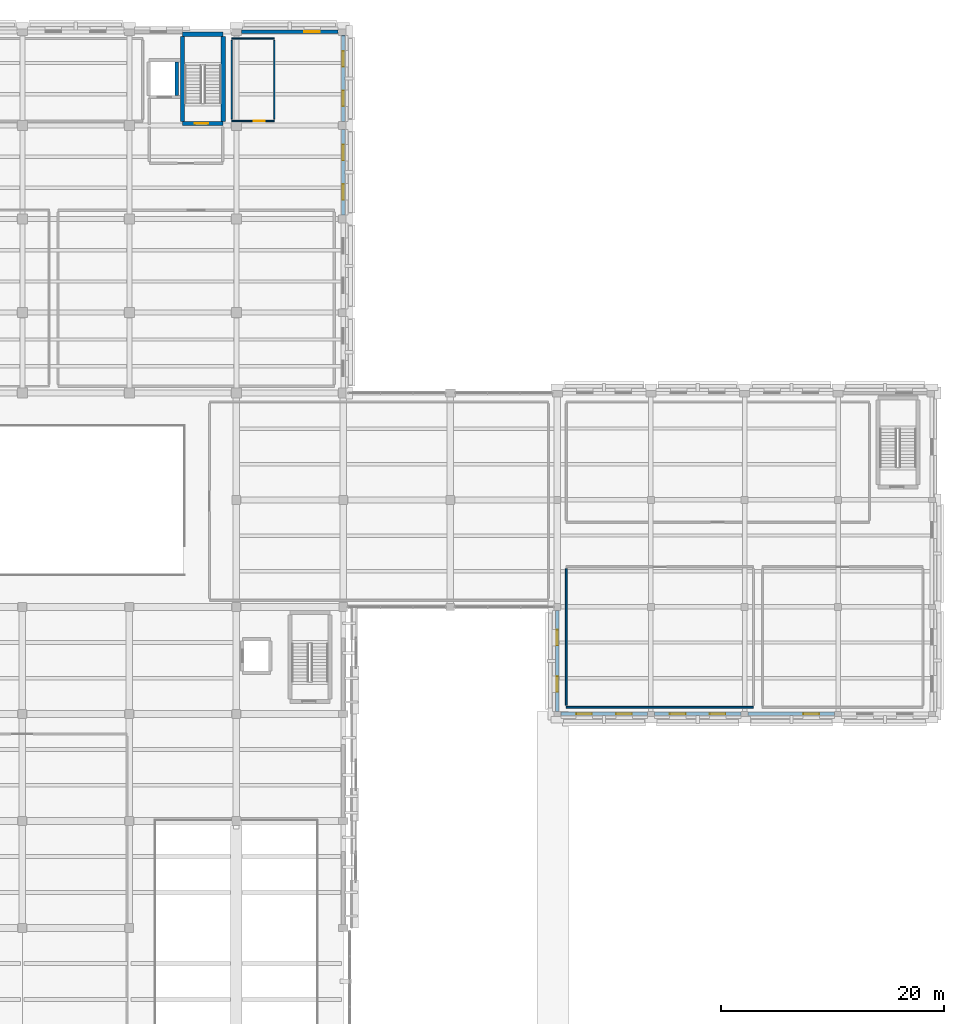
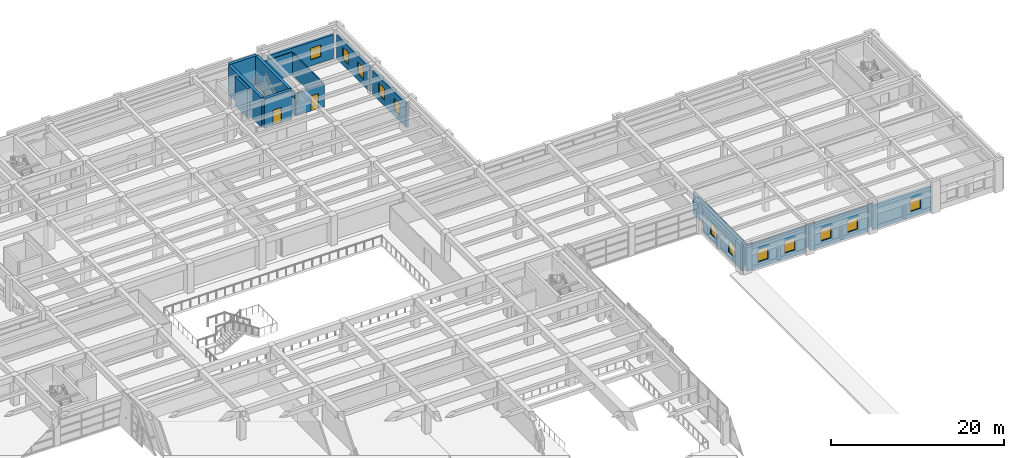
# One storey, part 35 of 49: 18 walls, 12 windows, 2 doors, 14 openings.
"""IFC4 building model written with IfcOpenShell, lengths in metres."""

from ifc_helpers import new_model, si_unit, direction, frame, frame_2d, origin, place, context, subcontext, project, spatial, rectangle, extrude, material, layer, layer_set, type_object, element, fill, save


model = new_model("IFC4")

# Units and contexts
model_context = context("Model", 3, precision=1e-05, world=origin(), true_north=direction((0.0, 1.0)))
body_context = subcontext(model_context, "Body", "Model", "MODEL_VIEW")
ifc_project = project(units=[si_unit("LENGTHUNIT", "METRE"), si_unit("AREAUNIT", "SQUARE_METRE"), si_unit("VOLUMEUNIT", "CUBIC_METRE"), si_unit("PLANEANGLEUNIT", "RADIAN"), si_unit("MASSUNIT", "GRAM", prefix="KILO")], contexts=[model_context])

# Site, building, storey
site_placement = place(None, origin())
site = spatial("IfcSite", under=ifc_project, at=site_placement, CompositionType="ELEMENT")
building_placement = place(site_placement, origin())
building = spatial("IfcBuilding", under=site, at=building_placement, Name="Bempovik Park Faculty of Sciences", CompositionType="ELEMENT")
storey_placement = place(building_placement, frame((0.0, 0.0, 5.39990234375)))
storey = spatial("IfcBuildingStorey", under=building, at=storey_placement, Name="L01", CompositionType="ELEMENT", Elevation=5.39990234375)

# Wall, opening, door
ifc_material_1 = material(Name="Gypsum acoustic stud assembly")
ifc_layer_1 = layer(ifc_material_1, 0.1201171875)
ifc_layer_set_1 = layer_set([ifc_layer_1], Name="Gypsum acoustic stud assembly")
wall_type_1 = type_object("IfcWallType", Name="W-17 Wall 120mm", PredefinedType="PARTITIONING", material=ifc_layer_set_1)
wall_1_placement = place(storey_placement, frame((107.60009765625, 111.39990234375, 0.0), z_axis=(0.0, 0.0, 1.0), x_axis=(1.0, 0.0, 0.0)))
wall_1 = element("IfcWall", 1, at=wall_1_placement, inside=storey, type_object=wall_type_1, Name="L01 L01 Accessible WC Partition South", PredefinedType="PARTITIONING", context=body_context, shape_type="SweptSolid", body=[
    extrude(rectangle(XDim=3.7998046875, YDim=0.1201171875, at=frame_2d((1.89990234375, 0.0))), origin(), (0.0, 0.0, 1.0), 3.22021484375),
])
opening_1_placement = place(wall_1_placement, frame((1.969970703125, 0.0, 0.0)))
opening_1 = element("IfcOpeningElement", 2, at=opening_1_placement, cuts=wall_1, Name="Opening D-50", PredefinedType="OPENING", context=body_context, shape_type="SweptSolid", body=[
    extrude(rectangle(XDim=1.0, YDim=2.14990234375, at=frame_2d((0.5, 1.074951171875))), frame((0.0, 0.070068359375, 0.0), z_axis=(0.0, -1.0, 0.0), x_axis=(1.0, 0.0, 0.0)), (0.0, 0.0, 1.0), 0.14013671875),
])
ifc_material_2 = material(Name="West African hardwood finish", Category="wood")
door_type_1 = type_object("IfcDoorType", Name="D-50 Door 1000x2150", OperationType="NOTDEFINED", PredefinedType="DOOR", material=ifc_material_2)
door_1_placement = place(opening_1_placement, origin())
door_1 = element("IfcDoor", 3, at=door_1_placement, inside=storey, type_object=door_type_1, Name="L01 L01 Accessible WC Door", OperationType="SINGLE_SWING_RIGHT", OverallHeight=2.14990234375, OverallWidth=1.0, PredefinedType="DOOR", context=body_context, shape_type="SweptSolid", body=[
    extrude(rectangle(XDim=1.0, YDim=2.14990234375, at=frame_2d((0.5, 1.074951171875))), frame((0.0, 0.02490234375, 0.0), z_axis=(0.0, -1.0, 0.0), x_axis=(1.0, 0.0, 0.0)), (0.0, 0.0, 1.0), 0.050048828125),
])
fill(opening_1, door_1)

# Walls
wall_2_placement = place(storey_placement, frame((107.60009765625, 118.800048828125, 0.0), z_axis=(0.0, 0.0, 1.0), x_axis=(1.0, 0.0, 0.0)))
element("IfcWall", 4, at=wall_2_placement, inside=storey, type_object=wall_type_1, Name="L01 L01 Accessible WC Partition North", PredefinedType="PARTITIONING", context=body_context, shape_type="SweptSolid", body=[
    extrude(rectangle(XDim=3.7998046875, YDim=0.1201171875, at=frame_2d((1.89990234375, 0.0))), origin(), (0.0, 0.0, 1.0), 3.22021484375),
])
for number, where, z_axis, x_axis, name in (
    (5, (107.60009765625, 111.56005859375, 0.0), (0.0, 0.0, 1.0), (0.0, 1.0, 0.0), "L01 L01 Accessible WC Partition West"),
    (6, (111.39990234375, 111.56005859375, 0.0), (0.0, 0.0, 1.0), (0.0, 1.0, 0.0), "L01 L01 Accessible WC Partition East"),
):
    element("IfcWall", number, at=place(storey_placement, frame(where, z_axis=z_axis, x_axis=x_axis)), inside=storey, type_object=wall_type_1, Name=name, PredefinedType="PARTITIONING", context=body_context, shape_type="SweptSolid", body=[
        extrude(rectangle(XDim=7.079833984375, YDim=0.1201171875, at=frame_2d((3.5400390625, 0.0))), origin(), (0.0, 0.0, 1.0), 3.22021484375),
    ])
ifc_material_3 = material(Name="Concrete C40/50", Category="concrete")
ifc_layer_2 = layer(ifc_material_3, 0.300048828125)
ifc_layer_set_2 = layer_set([ifc_layer_2], Name="Concrete C40/50")
wall_type_2 = type_object("IfcWallType", Name="W-31 Wall 300mm", PredefinedType="SHEAR", material=ifc_layer_set_2)
wall_3_placement = place(storey_placement, frame((102.64990234375, 113.699951171875, 0.0), z_axis=(0.0, 0.0, 1.0), x_axis=(0.0, 1.0, 0.0)))
element("IfcWall", 7, at=wall_3_placement, inside=storey, type_object=wall_type_2, Name="Lift LF-2 L01 Shaft Wall East", PredefinedType="SHEAR", context=body_context, shape_type="SweptSolid", body=[
    extrude(rectangle(XDim=3.0, YDim=0.300048828125, at=frame_2d((1.5, 0.0))), origin(), (0.0, 0.0, 1.0), 4.18017578125),
])
ifc_layer_3 = layer(ifc_material_1, 0.14990234375)
ifc_layer_set_3 = layer_set([ifc_layer_3], Name="Gypsum acoustic stud assembly")
wall_type_3 = type_object("IfcWallType", Name="W-42 Wall 150mm", PredefinedType="PARTITIONING", material=ifc_layer_set_3)
wall_4_placement = place(storey_placement, frame((137.60009765625, 58.800048828125, 0.0), z_axis=(0.0, 0.0, 1.0), x_axis=(1.0, 0.0, 0.0)))
element("IfcWall", 8, at=wall_4_placement, inside=storey, type_object=wall_type_3, Name="L01 East Wing Seminar Room A Partition South", PredefinedType="PARTITIONING", context=body_context, shape_type="SweptSolid", body=[
    extrude(rectangle(XDim=16.7998046875, YDim=0.14990234375, at=frame_2d((8.39990234375, 0.0))), origin(), (0.0, 0.0, 1.0), 3.22021484375),
])
wall_5_placement = place(storey_placement, frame((137.60009765625, 58.9599609375, 0.0), z_axis=(0.0, 0.0, 1.0), x_axis=(0.0, 1.0, 0.0)))
element("IfcWall", 9, at=wall_5_placement, inside=storey, type_object=wall_type_3, Name="L01 East Wing Seminar Room A Partition West", PredefinedType="PARTITIONING", context=body_context, shape_type="SweptSolid", body=[
    extrude(rectangle(XDim=12.280029296875, YDim=0.14990234375, at=frame_2d((6.14013671875, 0.0))), origin(), (0.0, 0.0, 1.0), 3.22021484375),
])

# Wall, opening, door
ifc_layer_4 = layer(ifc_material_3, 0.39990234375)
ifc_layer_set_4 = layer_set([ifc_layer_4], Name="Concrete C40/50")
wall_type_4 = type_object("IfcWallType", Name="W-47 Wall 400mm", PredefinedType="SHEAR", material=ifc_layer_set_4)
wall_6_placement = place(storey_placement, frame((103.175048828125, 111.175048828125, 0.0), z_axis=(0.0, 0.0, 1.0), x_axis=(1.0, 0.0, 0.0)))
wall_6 = element("IfcWall", 10, at=wall_6_placement, inside=storey, type_object=wall_type_4, Name="ST-2 L01 Core Shear Wall South", PredefinedType="SHEAR", context=body_context, shape_type="SweptSolid", body=[
    extrude(rectangle(XDim=3.64990234375, YDim=0.39990234375, at=frame_2d((1.824951171875, 0.0))), origin(), (0.0, 0.0, 1.0), 4.18017578125),
])
opening_2_placement = place(wall_6_placement, frame((1.10009765625, 0.0, 0.0)))
opening_2 = element("IfcOpeningElement", 11, at=opening_2_placement, cuts=wall_6, Name="Opening D-49", PredefinedType="OPENING", context=body_context, shape_type="SweptSolid", body=[
    extrude(rectangle(XDim=1.199951171875, YDim=2.199951171875, at=frame_2d((0.60009765625, 1.10009765625))), frame((0.0, 0.2099609375, 0.0), z_axis=(0.0, -1.0, 0.0), x_axis=(1.0, 0.0, 0.0)), (0.0, 0.0, 1.0), 0.419921875),
])
ifc_material_4 = material(Name="Painted steel S355", Category="steel")
door_type_2 = type_object("IfcDoorType", Name="D-49 Door 1200x2200", OperationType="NOTDEFINED", PredefinedType="DOOR", material=ifc_material_4)
door_2_placement = place(opening_2_placement, origin())
door_2 = element("IfcDoor", 12, at=door_2_placement, inside=storey, type_object=door_type_2, Name="ST-2 L01 Protected Stair Smoke Door", OperationType="SINGLE_SWING_LEFT", OverallHeight=2.199951171875, OverallWidth=1.199951171875, PredefinedType="DOOR", context=body_context, shape_type="SweptSolid", body=[
    extrude(rectangle(XDim=1.199951171875, YDim=2.199951171875, at=frame_2d((0.60009765625, 1.10009765625))), frame((0.0, 0.02490234375, 0.0), z_axis=(0.0, -1.0, 0.0), x_axis=(1.0, 0.0, 0.0)), (0.0, 0.0, 1.0), 0.050048828125),
])
fill(opening_2, door_2)

# Walls
for number, where, z_axis, x_axis, name in (
    (13, (103.175048828125, 111.375, 0.0), (0.0, 0.0, 1.0), (0.0, 1.0, 0.0), "ST-2 L01 Core Shear Wall West"),
    (14, (106.824951171875, 111.375, 0.0), (0.0, 0.0, 1.0), (0.0, 1.0, 0.0), "ST-2 L01 Core Shear Wall East"),
):
    element("IfcWall", number, at=place(storey_placement, frame(where, z_axis=z_axis, x_axis=x_axis)), inside=storey, type_object=wall_type_4, Name=name, PredefinedType="SHEAR", context=body_context, shape_type="SweptSolid", body=[
        extrude(rectangle(XDim=7.625, YDim=0.39990234375, at=frame_2d((3.8125, 0.0))), origin(), (0.0, 0.0, 1.0), 4.18017578125),
    ])
wall_7_placement = place(storey_placement, frame((103.175048828125, 119.199951171875, 0.0), z_axis=(0.0, 0.0, 1.0), x_axis=(1.0, 0.0, 0.0)))
element("IfcWall", 15, at=wall_7_placement, inside=storey, type_object=wall_type_4, Name="ST-2 L01 Core Shear Wall North", PredefinedType="SHEAR", context=body_context, shape_type="SweptSolid", body=[
    extrude(rectangle(XDim=3.64990234375, YDim=0.39990234375, at=frame_2d((1.824951171875, 0.0))), origin(), (0.0, 0.0, 1.0), 4.18017578125),
])

# Wall, opening, window
ifc_material_5 = material(Name="Precast concrete C40/50", Category="concrete")
ifc_layer_5 = layer(ifc_material_5, 0.320068359375)
ifc_layer_set_5 = layer_set([ifc_layer_5], Name="Precast concrete C40/50")
wall_type_5 = type_object("IfcWallType", Name="W-56 Wall 320mm", PredefinedType="SOLIDWALL", material=ifc_layer_set_5)
wall_8_placement = place(storey_placement, frame((108.451904296875, 119.39990234375, 0.0), z_axis=(0.0, 0.0, 1.0), x_axis=(1.0, 0.0, 0.0)))
wall_8 = element("IfcWall", 16, at=wall_8_placement, inside=storey, type_object=wall_type_5, Name="L01 Classical Precast Facade Wall EW-L01-6715", PredefinedType="SOLIDWALL", context=body_context, shape_type="SweptSolid", body=[
    extrude(rectangle(XDim=8.696044921875, YDim=0.320068359375, at=frame_2d((4.34814453125, 0.0))), origin(), (0.0, 0.0, 1.0), 3.380126953125),
])
opening_3_placement = place(wall_8_placement, frame((5.648193359375, 0.0, 0.85009765625)))
opening_3 = element("IfcOpeningElement", 17, at=opening_3_placement, cuts=wall_8, Name="Opening WN-84", PredefinedType="OPENING", context=body_context, shape_type="SweptSolid", body=[
    extrude(rectangle(XDim=1.39990234375, YDim=1.64990234375, at=frame_2d((0.699951171875, 0.824951171875))), frame((0.0, 0.169921875, 0.0), z_axis=(0.0, -1.0, 0.0), x_axis=(1.0, 0.0, 0.0)), (0.0, 0.0, 1.0), 0.340087890625),
])
ifc_material_6 = material(Name="Tempered laminated low-E glass", Category="glass")
window_type = type_object("IfcWindowType", Name="WN-84 Window 1400x1650", PartitioningType="SINGLE_PANEL", PredefinedType="WINDOW", material=ifc_material_6)
window_1_placement = place(opening_3_placement, origin())
window_1 = element("IfcWindow", 18, at=window_1_placement, inside=storey, type_object=window_type, Name="L01 Window EW-L01-6715-2", OverallHeight=1.64990234375, OverallWidth=1.39990234375, PartitioningType="SINGLE_PANEL", PredefinedType="WINDOW", context=body_context, shape_type="SweptSolid", body=[
    extrude(rectangle(XDim=1.39990234375, YDim=1.64990234375, at=frame_2d((0.699951171875, 0.824951171875))), frame((0.0, 0.030029296875, 0.0), z_axis=(0.0, -1.0, 0.0), x_axis=(1.0, 0.0, 0.0)), (0.0, 0.0, 1.0), 0.06005859375),
])
fill(opening_3, window_1)

# Wall, openings, windows
wall_9_placement = place(storey_placement, frame((117.60009765625, 102.951904296875, 0.0), z_axis=(0.0, 0.0, 1.0), x_axis=(0.0, 1.0, 0.0)))
wall_9 = element("IfcWall", 19, at=wall_9_placement, inside=storey, type_object=wall_type_5, Name="L01 Classical Precast Facade Wall EW-L01-6750", PredefinedType="SOLIDWALL", context=body_context, shape_type="SweptSolid", body=[
    extrude(rectangle(XDim=7.696044921875, YDim=0.320068359375, at=frame_2d((3.84814453125, 0.0))), origin(), (0.0, 0.0, 1.0), 3.380126953125),
])
opening_4_placement = place(wall_9_placement, frame((1.3779296875, 0.0, 0.85009765625)))
opening_4 = element("IfcOpeningElement", 20, at=opening_4_placement, cuts=wall_9, Name="Opening WN-84", PredefinedType="OPENING", context=body_context, shape_type="SweptSolid", body=[
    extrude(rectangle(XDim=1.39990234375, YDim=1.64990234375, at=frame_2d((0.699951171875, 0.824951171875))), frame((0.0, 0.169921875, 0.0), z_axis=(0.0, -1.0, 0.0), x_axis=(1.0, 0.0, 0.0)), (0.0, 0.0, 1.0), 0.340087890625),
])
opening_5_placement = place(wall_9_placement, frame((4.918212890625, 0.0, 0.85009765625)))
opening_5 = element("IfcOpeningElement", 21, at=opening_5_placement, cuts=wall_9, Name="Opening WN-84", PredefinedType="OPENING", context=body_context, shape_type="SweptSolid", body=[
    extrude(rectangle(XDim=1.39990234375, YDim=1.64990234375, at=frame_2d((0.699951171875, 0.824951171875))), frame((0.0, 0.169921875, 0.0), z_axis=(0.0, -1.0, 0.0), x_axis=(1.0, 0.0, 0.0)), (0.0, 0.0, 1.0), 0.340087890625),
])
window_2_placement = place(opening_4_placement, origin())
window_2 = element("IfcWindow", 22, at=window_2_placement, inside=storey, type_object=window_type, Name="L01 Window EW-L01-6750-1", OverallHeight=1.64990234375, OverallWidth=1.39990234375, PartitioningType="SINGLE_PANEL", PredefinedType="WINDOW", context=body_context, shape_type="SweptSolid", body=[
    extrude(rectangle(XDim=1.39990234375, YDim=1.64990234375, at=frame_2d((0.699951171875, 0.824951171875))), frame((0.0, 0.030029296875, 0.0), z_axis=(0.0, -1.0, 0.0), x_axis=(1.0, 0.0, 0.0)), (0.0, 0.0, 1.0), 0.06005859375),
])
fill(opening_4, window_2)
window_3_placement = place(opening_5_placement, origin())
window_3 = element("IfcWindow", 23, at=window_3_placement, inside=storey, type_object=window_type, Name="L01 Window EW-L01-6750-2", OverallHeight=1.64990234375, OverallWidth=1.39990234375, PartitioningType="SINGLE_PANEL", PredefinedType="WINDOW", context=body_context, shape_type="SweptSolid", body=[
    extrude(rectangle(XDim=1.39990234375, YDim=1.64990234375, at=frame_2d((0.699951171875, 0.824951171875))), frame((0.0, 0.030029296875, 0.0), z_axis=(0.0, -1.0, 0.0), x_axis=(1.0, 0.0, 0.0)), (0.0, 0.0, 1.0), 0.06005859375),
])
fill(opening_5, window_3)

wall_10_placement = place(storey_placement, frame((117.60009765625, 111.35205078125, 0.0), z_axis=(0.0, 0.0, 1.0), x_axis=(0.0, 1.0, 0.0)))
wall_10 = element("IfcWall", 24, at=wall_10_placement, inside=storey, type_object=wall_type_5, Name="L01 Classical Precast Facade Wall EW-L01-6762", PredefinedType="SOLIDWALL", context=body_context, shape_type="SweptSolid", body=[
    extrude(rectangle(XDim=7.696044921875, YDim=0.320068359375, at=frame_2d((3.84814453125, 0.0))), origin(), (0.0, 0.0, 1.0), 3.380126953125),
])
opening_6_placement = place(wall_10_placement, frame((1.3779296875, 0.0, 0.85009765625)))
opening_6 = element("IfcOpeningElement", 25, at=opening_6_placement, cuts=wall_10, Name="Opening WN-84", PredefinedType="OPENING", context=body_context, shape_type="SweptSolid", body=[
    extrude(rectangle(XDim=1.39990234375, YDim=1.64990234375, at=frame_2d((0.699951171875, 0.824951171875))), frame((0.0, 0.169921875, 0.0), z_axis=(0.0, -1.0, 0.0), x_axis=(1.0, 0.0, 0.0)), (0.0, 0.0, 1.0), 0.340087890625),
])
opening_7_placement = place(wall_10_placement, frame((4.918212890625, 0.0, 0.85009765625)))
opening_7 = element("IfcOpeningElement", 26, at=opening_7_placement, cuts=wall_10, Name="Opening WN-84", PredefinedType="OPENING", context=body_context, shape_type="SweptSolid", body=[
    extrude(rectangle(XDim=1.39990234375, YDim=1.64990234375, at=frame_2d((0.699951171875, 0.824951171875))), frame((0.0, 0.169921875, 0.0), z_axis=(0.0, -1.0, 0.0), x_axis=(1.0, 0.0, 0.0)), (0.0, 0.0, 1.0), 0.340087890625),
])
window_4_placement = place(opening_6_placement, origin())
window_4 = element("IfcWindow", 27, at=window_4_placement, inside=storey, type_object=window_type, Name="L01 Window EW-L01-6762-1", OverallHeight=1.64990234375, OverallWidth=1.39990234375, PartitioningType="SINGLE_PANEL", PredefinedType="WINDOW", context=body_context, shape_type="SweptSolid", body=[
    extrude(rectangle(XDim=1.39990234375, YDim=1.64990234375, at=frame_2d((0.699951171875, 0.824951171875))), frame((0.0, 0.030029296875, 0.0), z_axis=(0.0, -1.0, 0.0), x_axis=(1.0, 0.0, 0.0)), (0.0, 0.0, 1.0), 0.06005859375),
])
fill(opening_6, window_4)
window_5_placement = place(opening_7_placement, origin())
window_5 = element("IfcWindow", 28, at=window_5_placement, inside=storey, type_object=window_type, Name="L01 Window EW-L01-6762-2", OverallHeight=1.64990234375, OverallWidth=1.39990234375, PartitioningType="SINGLE_PANEL", PredefinedType="WINDOW", context=body_context, shape_type="SweptSolid", body=[
    extrude(rectangle(XDim=1.39990234375, YDim=1.64990234375, at=frame_2d((0.699951171875, 0.824951171875))), frame((0.0, 0.030029296875, 0.0), z_axis=(0.0, -1.0, 0.0), x_axis=(1.0, 0.0, 0.0)), (0.0, 0.0, 1.0), 0.06005859375),
])
fill(opening_7, window_5)

wall_11_placement = place(storey_placement, frame((137.112060546875, 58.199951171875, 0.0), z_axis=(0.0, 0.0, 1.0), x_axis=(1.0, 0.0, 0.0)))
wall_11 = element("IfcWall", 29, at=wall_11_placement, inside=storey, type_object=wall_type_5, Name="L01 Classical Precast Facade Wall EW-L01-6886", PredefinedType="SOLIDWALL", context=body_context, shape_type="SweptSolid", body=[
    extrude(rectangle(XDim=7.77587890625, YDim=0.320068359375, at=frame_2d((3.887939453125, 0.0))), origin(), (0.0, 0.0, 1.0), 3.380126953125),
])
opening_8_placement = place(wall_11_placement, frame((1.3994140625, 0.0, 0.85009765625)))
opening_8 = element("IfcOpeningElement", 30, at=opening_8_placement, cuts=wall_11, Name="Opening WN-84", PredefinedType="OPENING", context=body_context, shape_type="SweptSolid", body=[
    extrude(rectangle(XDim=1.39990234375, YDim=1.64990234375, at=frame_2d((0.699951171875, 0.824951171875))), frame((0.0, 0.169921875, 0.0), z_axis=(0.0, -1.0, 0.0), x_axis=(1.0, 0.0, 0.0)), (0.0, 0.0, 1.0), 0.340087890625),
])
opening_9_placement = place(wall_11_placement, frame((4.9765625, 0.0, 0.85009765625)))
opening_9 = element("IfcOpeningElement", 31, at=opening_9_placement, cuts=wall_11, Name="Opening WN-84", PredefinedType="OPENING", context=body_context, shape_type="SweptSolid", body=[
    extrude(rectangle(XDim=1.39990234375, YDim=1.64990234375, at=frame_2d((0.699951171875, 0.824951171875))), frame((0.0, 0.169921875, 0.0), z_axis=(0.0, -1.0, 0.0), x_axis=(1.0, 0.0, 0.0)), (0.0, 0.0, 1.0), 0.340087890625),
])
window_6_placement = place(opening_8_placement, origin())
window_6 = element("IfcWindow", 32, at=window_6_placement, inside=storey, type_object=window_type, Name="L01 Window EW-L01-6886-1", OverallHeight=1.64990234375, OverallWidth=1.39990234375, PartitioningType="SINGLE_PANEL", PredefinedType="WINDOW", context=body_context, shape_type="SweptSolid", body=[
    extrude(rectangle(XDim=1.39990234375, YDim=1.64990234375, at=frame_2d((0.699951171875, 0.824951171875))), frame((0.0, 0.030029296875, 0.0), z_axis=(0.0, -1.0, 0.0), x_axis=(1.0, 0.0, 0.0)), (0.0, 0.0, 1.0), 0.06005859375),
])
fill(opening_8, window_6)
window_7_placement = place(opening_9_placement, origin())
window_7 = element("IfcWindow", 33, at=window_7_placement, inside=storey, type_object=window_type, Name="L01 Window EW-L01-6886-2", OverallHeight=1.64990234375, OverallWidth=1.39990234375, PartitioningType="SINGLE_PANEL", PredefinedType="WINDOW", context=body_context, shape_type="SweptSolid", body=[
    extrude(rectangle(XDim=1.39990234375, YDim=1.64990234375, at=frame_2d((0.699951171875, 0.824951171875))), frame((0.0, 0.030029296875, 0.0), z_axis=(0.0, -1.0, 0.0), x_axis=(1.0, 0.0, 0.0)), (0.0, 0.0, 1.0), 0.06005859375),
])
fill(opening_9, window_7)

wall_12_placement = place(storey_placement, frame((145.511962890625, 58.199951171875, 0.0), z_axis=(0.0, 0.0, 1.0), x_axis=(1.0, 0.0, 0.0)))
wall_12 = element("IfcWall", 34, at=wall_12_placement, inside=storey, type_object=wall_type_5, Name="L01 Classical Precast Facade Wall EW-L01-6899", PredefinedType="SOLIDWALL", context=body_context, shape_type="SweptSolid", body=[
    extrude(rectangle(XDim=7.776123046875, YDim=0.320068359375, at=frame_2d((3.88818359375, 0.0))), origin(), (0.0, 0.0, 1.0), 3.380126953125),
])
opening_10_placement = place(wall_12_placement, frame((1.3994140625, 0.0, 0.85009765625)))
opening_10 = element("IfcOpeningElement", 35, at=opening_10_placement, cuts=wall_12, Name="Opening WN-84", PredefinedType="OPENING", context=body_context, shape_type="SweptSolid", body=[
    extrude(rectangle(XDim=1.39990234375, YDim=1.64990234375, at=frame_2d((0.699951171875, 0.824951171875))), frame((0.0, 0.169921875, 0.0), z_axis=(0.0, -1.0, 0.0), x_axis=(1.0, 0.0, 0.0)), (0.0, 0.0, 1.0), 0.340087890625),
])
opening_11_placement = place(wall_12_placement, frame((4.9765625, 0.0, 0.85009765625)))
opening_11 = element("IfcOpeningElement", 36, at=opening_11_placement, cuts=wall_12, Name="Opening WN-84", PredefinedType="OPENING", context=body_context, shape_type="SweptSolid", body=[
    extrude(rectangle(XDim=1.39990234375, YDim=1.64990234375, at=frame_2d((0.699951171875, 0.824951171875))), frame((0.0, 0.169921875, 0.0), z_axis=(0.0, -1.0, 0.0), x_axis=(1.0, 0.0, 0.0)), (0.0, 0.0, 1.0), 0.340087890625),
])
window_8_placement = place(opening_10_placement, origin())
window_8 = element("IfcWindow", 37, at=window_8_placement, inside=storey, type_object=window_type, Name="L01 Window EW-L01-6899-1", OverallHeight=1.64990234375, OverallWidth=1.39990234375, PartitioningType="SINGLE_PANEL", PredefinedType="WINDOW", context=body_context, shape_type="SweptSolid", body=[
    extrude(rectangle(XDim=1.39990234375, YDim=1.64990234375, at=frame_2d((0.699951171875, 0.824951171875))), frame((0.0, 0.030029296875, 0.0), z_axis=(0.0, -1.0, 0.0), x_axis=(1.0, 0.0, 0.0)), (0.0, 0.0, 1.0), 0.06005859375),
])
fill(opening_10, window_8)
window_9_placement = place(opening_11_placement, origin())
window_9 = element("IfcWindow", 38, at=window_9_placement, inside=storey, type_object=window_type, Name="L01 Window EW-L01-6899-2", OverallHeight=1.64990234375, OverallWidth=1.39990234375, PartitioningType="SINGLE_PANEL", PredefinedType="WINDOW", context=body_context, shape_type="SweptSolid", body=[
    extrude(rectangle(XDim=1.39990234375, YDim=1.64990234375, at=frame_2d((0.699951171875, 0.824951171875))), frame((0.0, 0.030029296875, 0.0), z_axis=(0.0, -1.0, 0.0), x_axis=(1.0, 0.0, 0.0)), (0.0, 0.0, 1.0), 0.06005859375),
])
fill(opening_11, window_9)

# Wall, opening, window
wall_13_placement = place(storey_placement, frame((153.912109375, 58.199951171875, 0.0), z_axis=(0.0, 0.0, 1.0), x_axis=(1.0, 0.0, 0.0)))
wall_13 = element("IfcWall", 39, at=wall_13_placement, inside=storey, type_object=wall_type_5, Name="L01 Classical Precast Facade Wall EW-L01-6911", PredefinedType="SOLIDWALL", context=body_context, shape_type="SweptSolid", body=[
    extrude(rectangle(XDim=7.77587890625, YDim=0.320068359375, at=frame_2d((3.887939453125, 0.0))), origin(), (0.0, 0.0, 1.0), 3.380126953125),
])
opening_12_placement = place(wall_13_placement, frame((4.9765625, 0.0, 0.85009765625)))
opening_12 = element("IfcOpeningElement", 40, at=opening_12_placement, cuts=wall_13, Name="Opening WN-84", PredefinedType="OPENING", context=body_context, shape_type="SweptSolid", body=[
    extrude(rectangle(XDim=1.39990234375, YDim=1.64990234375, at=frame_2d((0.699951171875, 0.824951171875))), frame((0.0, 0.169921875, 0.0), z_axis=(0.0, -1.0, 0.0), x_axis=(1.0, 0.0, 0.0)), (0.0, 0.0, 1.0), 0.340087890625),
])
window_10_placement = place(opening_12_placement, origin())
window_10 = element("IfcWindow", 41, at=window_10_placement, inside=storey, type_object=window_type, Name="L01 Window EW-L01-6911-2", OverallHeight=1.64990234375, OverallWidth=1.39990234375, PartitioningType="SINGLE_PANEL", PredefinedType="WINDOW", context=body_context, shape_type="SweptSolid", body=[
    extrude(rectangle(XDim=1.39990234375, YDim=1.64990234375, at=frame_2d((0.699951171875, 0.824951171875))), frame((0.0, 0.030029296875, 0.0), z_axis=(0.0, -1.0, 0.0), x_axis=(1.0, 0.0, 0.0)), (0.0, 0.0, 1.0), 0.06005859375),
])
fill(opening_12, window_10)

# Wall, openings, windows
wall_14_placement = place(storey_placement, frame((136.800048828125, 58.431884765625, 0.0), z_axis=(0.0, 0.0, 1.0), x_axis=(0.0, 1.0, 0.0)))
wall_14 = element("IfcWall", 42, at=wall_14_placement, inside=storey, type_object=wall_type_5, Name="L01 Classical Precast Facade Wall EW-L01-6933", PredefinedType="SOLIDWALL", context=body_context, shape_type="SweptSolid", body=[
    extrude(rectangle(XDim=9.05615234375, YDim=0.320068359375, at=frame_2d((4.528076171875, 0.0))), origin(), (0.0, 0.0, 1.0), 3.380126953125),
])
opening_13_placement = place(wall_14_placement, frame((1.7451171875, 0.0, 0.85009765625)))
opening_13 = element("IfcOpeningElement", 43, at=opening_13_placement, cuts=wall_14, Name="Opening WN-84", PredefinedType="OPENING", context=body_context, shape_type="SweptSolid", body=[
    extrude(rectangle(XDim=1.39990234375, YDim=1.64990234375, at=frame_2d((0.699951171875, 0.824951171875))), frame((0.0, 0.169921875, 0.0), z_axis=(0.0, -1.0, 0.0), x_axis=(1.0, 0.0, 0.0)), (0.0, 0.0, 1.0), 0.340087890625),
])
opening_14_placement = place(wall_14_placement, frame((5.910888671875, 0.0, 0.85009765625)))
opening_14 = element("IfcOpeningElement", 44, at=opening_14_placement, cuts=wall_14, Name="Opening WN-84", PredefinedType="OPENING", context=body_context, shape_type="SweptSolid", body=[
    extrude(rectangle(XDim=1.39990234375, YDim=1.64990234375, at=frame_2d((0.699951171875, 0.824951171875))), frame((0.0, 0.169921875, 0.0), z_axis=(0.0, -1.0, 0.0), x_axis=(1.0, 0.0, 0.0)), (0.0, 0.0, 1.0), 0.340087890625),
])
window_11_placement = place(opening_13_placement, origin())
window_11 = element("IfcWindow", 45, at=window_11_placement, inside=storey, type_object=window_type, Name="L01 Window EW-L01-6933-1", OverallHeight=1.64990234375, OverallWidth=1.39990234375, PartitioningType="SINGLE_PANEL", PredefinedType="WINDOW", context=body_context, shape_type="SweptSolid", body=[
    extrude(rectangle(XDim=1.39990234375, YDim=1.64990234375, at=frame_2d((0.699951171875, 0.824951171875))), frame((0.0, 0.030029296875, 0.0), z_axis=(0.0, -1.0, 0.0), x_axis=(1.0, 0.0, 0.0)), (0.0, 0.0, 1.0), 0.06005859375),
])
fill(opening_13, window_11)
window_12_placement = place(opening_14_placement, origin())
window_12 = element("IfcWindow", 46, at=window_12_placement, inside=storey, type_object=window_type, Name="L01 Window EW-L01-6933-2", OverallHeight=1.64990234375, OverallWidth=1.39990234375, PartitioningType="SINGLE_PANEL", PredefinedType="WINDOW", context=body_context, shape_type="SweptSolid", body=[
    extrude(rectangle(XDim=1.39990234375, YDim=1.64990234375, at=frame_2d((0.699951171875, 0.824951171875))), frame((0.0, 0.030029296875, 0.0), z_axis=(0.0, -1.0, 0.0), x_axis=(1.0, 0.0, 0.0)), (0.0, 0.0, 1.0), 0.06005859375),
])
fill(opening_14, window_12)

save(model, "model.ifc")
